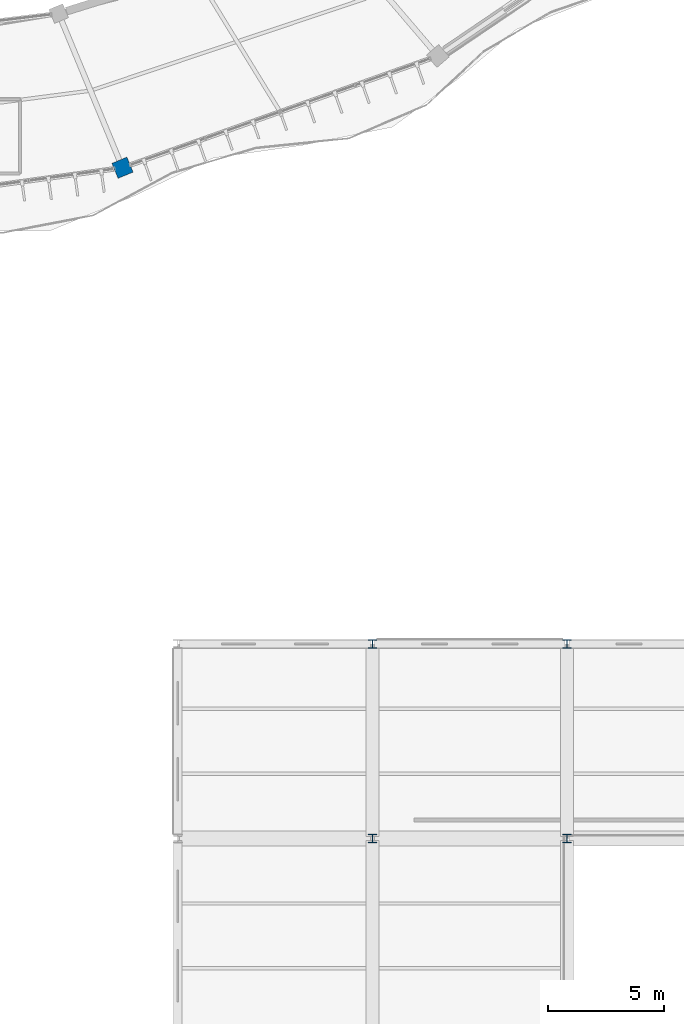
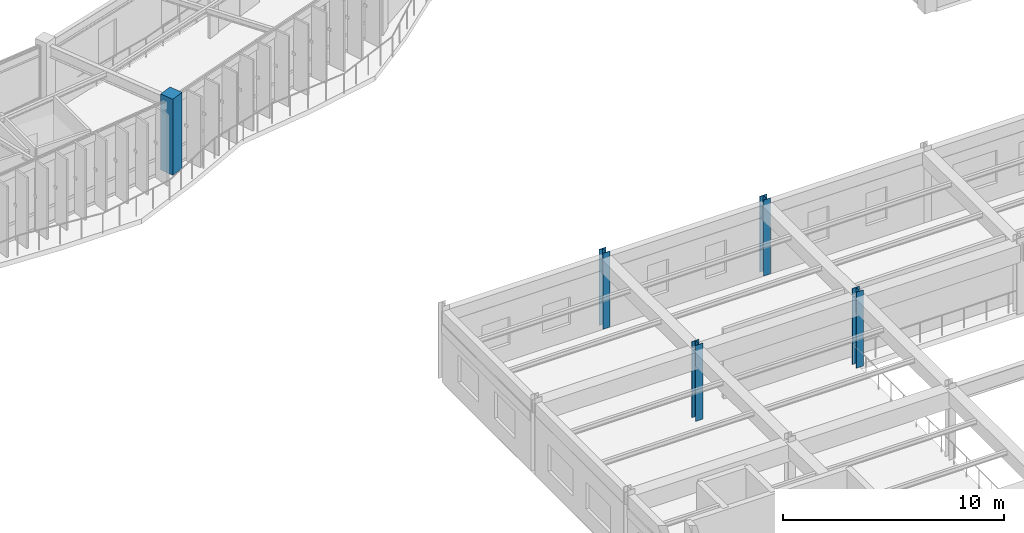
# One storey, part 4 of 138: 5 columns.
"""IFC4 building model written with IfcOpenShell, lengths in metres."""

from ifc_helpers import new_model, si_unit, direction, frame, origin, origin_2d, place, context, subcontext, project, spatial, rectangle, i_section, extrude, material, material_profile, profile_set, type_object, element, save


model = new_model("IFC4")

# Units and contexts
model_context = context("Model", 3, precision=1e-05, world=origin(), true_north=direction((0.0, 1.0)))
body_context = subcontext(model_context, "Body", "Model", "MODEL_VIEW")
ifc_project = project(units=[si_unit("LENGTHUNIT", "METRE"), si_unit("AREAUNIT", "SQUARE_METRE"), si_unit("VOLUMEUNIT", "CUBIC_METRE"), si_unit("PLANEANGLEUNIT", "RADIAN"), si_unit("MASSUNIT", "GRAM", prefix="KILO"), si_unit("THERMODYNAMICTEMPERATUREUNIT", "KELVIN"), si_unit("POWERUNIT", "WATT")], contexts=[model_context])

# Site, building, storey
site_placement = place(None, origin())
site = spatial("IfcSite", under=ifc_project, at=site_placement, CompositionType="ELEMENT")
building_placement = place(site_placement, origin())
building = spatial("IfcBuilding", under=site, at=building_placement, Name="Darbajah Civic Hall", CompositionType="ELEMENT")
storey_placement = place(building_placement, frame((0.0, 0.0, 9.60009765625)))
storey = spatial("IfcBuildingStorey", under=building, at=storey_placement, Name="L02", CompositionType="ELEMENT", Elevation=9.60009765625)

# Columns
ifc_material_1 = material(Name="Concrete C45/55", Category="concrete")
ifc_material_profile_1 = material_profile(ifc_material_1, rectangle(XDim=0.699951171875, YDim=0.699951171875, at=origin_2d()), Name="RC COL 700x700")
ifc_profile_set_1 = profile_set([ifc_material_profile_1], Name="Concrete C45/55")
column_type_1 = type_object("IfcColumnType", Name="RC COL 700x700", PredefinedType="COLUMN", material=ifc_profile_set_1)
column_placement = place(storey_placement, frame((108.616943359375, 62.545654296875, 0.0), z_axis=(0.0, 0.0, 1.0), x_axis=(0.382683432365, -0.923879532511, 0.0)))
element("IfcColumn", 1, at=column_placement, inside=storey, type_object=column_type_1, Name="L02 column C-RC700", PredefinedType="COLUMN", context=body_context, shape_type="SweptSolid", body=[
    extrude(rectangle(XDim=0.699951171875, YDim=0.699951171875, at=origin_2d()), origin(), (0.0, 0.0, 1.0), 4.199951171875),
])
ifc_material_2 = material(Name="Steel S355JR", Category="steel")
ifc_material_profile_2 = material_profile(ifc_material_2, i_section(OverallWidth=0.37255859375, OverallDepth=0.3681640625, WebThickness=0.014404296875, FlangeThickness=0.023681640625, FilletRadius=0.01513671875, at=origin_2d()), Name="UC 356x368x177")
ifc_profile_set_2 = profile_set([ifc_material_profile_2], Name="Steel S355JR")
column_type_2 = type_object("IfcColumnType", Name="UC 356x368x177", PredefinedType="COLUMN", material=ifc_profile_set_2)
for number, where, z_axis, x_axis, name in (
    (2, (119.39990234375, 33.60009765625, 0.0), (0.0, 0.0, 1.0), (1.0, 0.0, 0.0), "L02 column C-UC356"),
    (3, (119.39990234375, 42.0, 0.0), (0.0, 0.0, 1.0), (1.0, 0.0, 0.0), "L02 column C-UC356"),
    (4, (127.800048828125, 33.60009765625, 0.0), (0.0, 0.0, 1.0), (1.0, 0.0, 0.0), "L02 column C-UC356"),
    (5, (127.800048828125, 42.0, 0.0), (0.0, 0.0, 1.0), (1.0, 0.0, 0.0), "L02 column C-UC356"),
):
    element("IfcColumn", number, at=place(storey_placement, frame(where, z_axis=z_axis, x_axis=x_axis)), inside=storey, type_object=column_type_2, Name=name, PredefinedType="COLUMN", context=body_context, shape_type="SweptSolid", body=[
        extrude(i_section(OverallWidth=0.37255859375, OverallDepth=0.3681640625, WebThickness=0.014404296875, FlangeThickness=0.023681640625, FilletRadius=0.01513671875, at=origin_2d()), origin(), (0.0, 0.0, 1.0), 4.199951171875),
    ])

save(model, "model.ifc")
